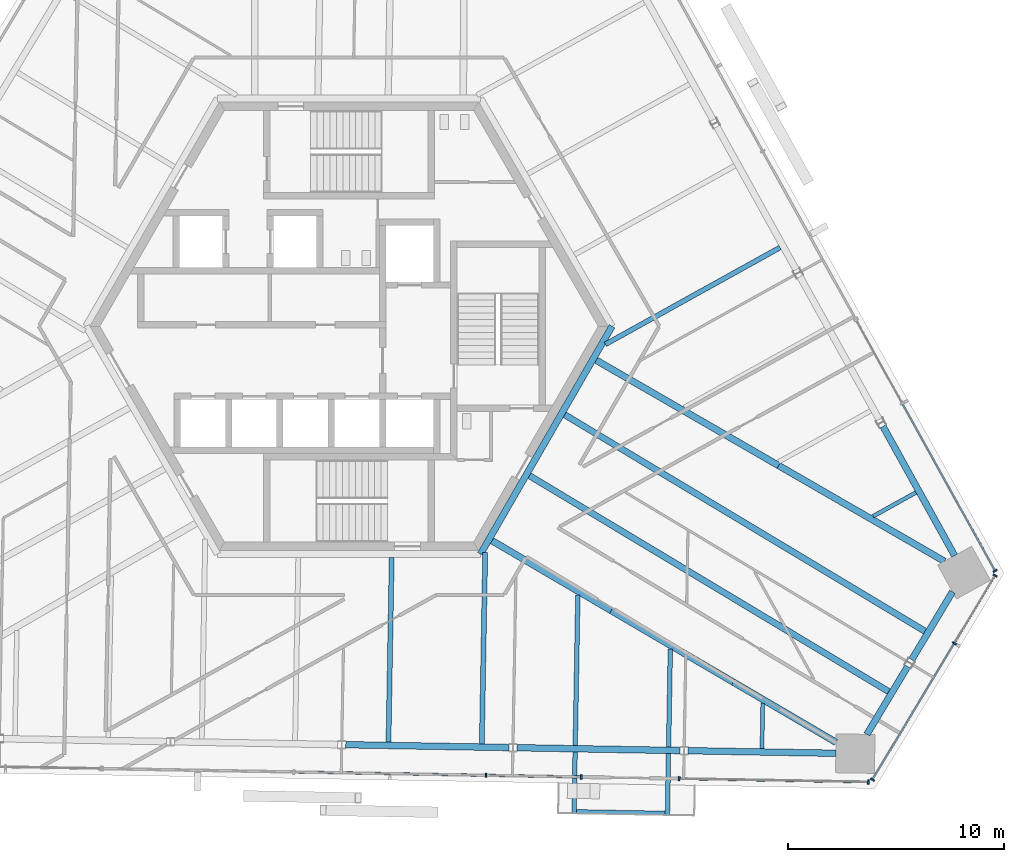
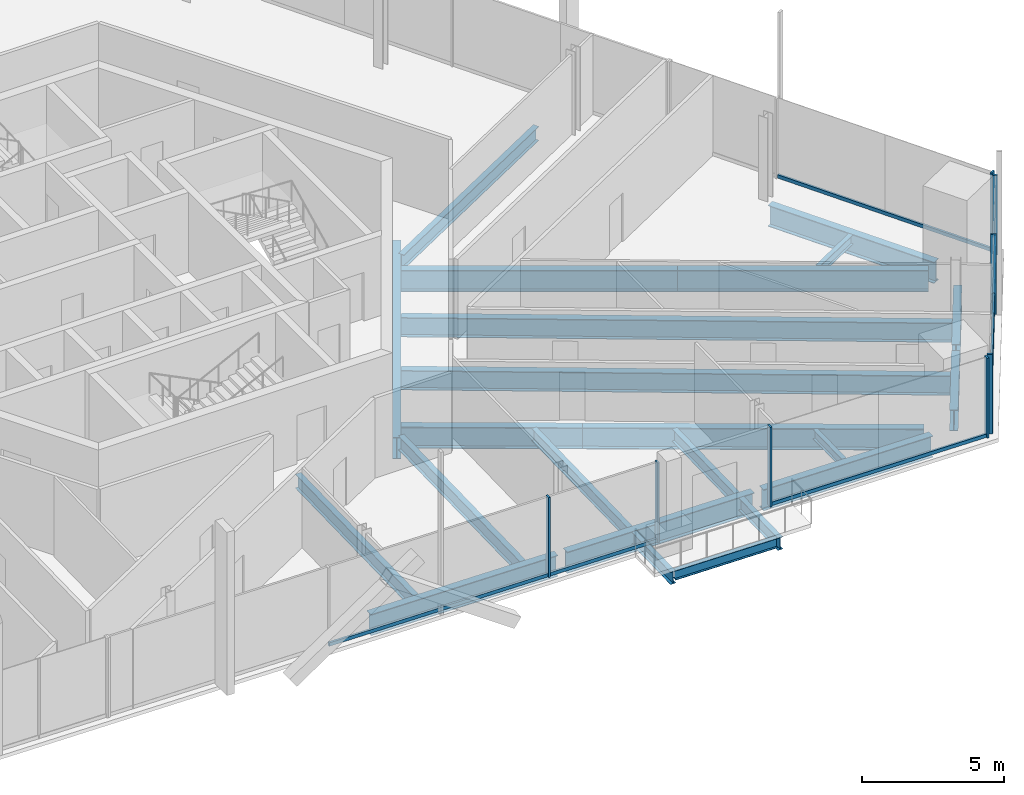
# One storey, part 6 of 20: 24 beams, 14 members, 4 elements without a shape of their own.
"""IFC4 building model written with IfcOpenShell, lengths in metres."""

import ifcopenshell
import ifcopenshell.guid

model = None  # the IFC model being written
_history = None  # IfcOwnerHistory: only IFC2X3 demands one
_inside = {}  # id of a spatial element -> (the spatial element, [elements in it])
_under = {}  # id of a project, library or spatial element -> (it, [spatial elements below it])
_declared = {}  # id of a project -> (the project, [libraries it declares])
_typed = {}  # id of a type object -> (the type object, [elements of that type])
_made_of = {}  # id of a material, layer set ... -> (it, [elements and type objects made of it])


def new_model(schema):
    """Start an empty IFC model of exactly this schema.

    Asked for "IFC4X3", IfcOpenShell would pick the latest addendum, in which some entities
    have other attributes; the version numbers below select the first issue.
    IFC2X3 requires an IfcOwnerHistory on every rooted entity: one is made here for all.
    """
    global model, _history
    if schema == "IFC4X3":
        model = ifcopenshell.file(schema_version=(4, 3, 0, 0))
    else:
        model = ifcopenshell.file(schema=schema)
    _inside.clear()
    _under.clear()
    _declared.clear()
    _typed.clear()
    _made_of.clear()
    _history = None
    if model.schema == "IFC2X3":
        org = make("IfcOrganization", Name="unknown")
        user = make(
            "IfcPersonAndOrganization",
            ThePerson=make("IfcPerson", FamilyName="unknown"),
            TheOrganization=org,
        )
        app = make(
            "IfcApplication",
            ApplicationDeveloper=org,
            Version="unknown",
            ApplicationFullName="unknown",
            ApplicationIdentifier="unknown",
        )
        _history = make(
            "IfcOwnerHistory",
            OwningUser=user,
            OwningApplication=app,
            ChangeAction="ADDED",
            CreationDate=0,
        )
    return model


def make(cls, **values):
    """One entity of the class cls with the attributes given. An attribute that is None is left unset."""
    return model.create_entity(
        cls, **{name: value for name, value in values.items() if value is not None}
    )


def rooted(cls, **values):
    """An entity with a GlobalId (a new one), such as an element, a storey or a relation."""
    return make(cls, GlobalId=ifcopenshell.guid.new(), OwnerHistory=_history, **values)


def si_unit(unit_type, name, prefix=None):
    """IfcSIUnit, for example si_unit("LENGTHUNIT", "METRE", prefix="MILLI")."""
    return make("IfcSIUnit", UnitType=unit_type, Prefix=prefix, Name=name)


def assignment(units):
    """IfcUnitAssignment: the units of a project."""
    return None if units is None else make("IfcUnitAssignment", Units=units)


def point(xyz):
    """IfcCartesianPoint."""
    return None if xyz is None else make("IfcCartesianPoint", Coordinates=xyz)


def direction(xyz):
    """IfcDirection."""
    return None if xyz is None else make("IfcDirection", DirectionRatios=xyz)


def frame(location, z_axis=None, x_axis=None):
    """IfcAxis2Placement3D, a coordinate frame: its origin and axes. An axis left out is left unset."""
    return make(
        "IfcAxis2Placement3D",
        Location=point(location),
        Axis=direction(z_axis),
        RefDirection=direction(x_axis),
    )


def frame_2d(location, x_axis=None):
    """IfcAxis2Placement2D, a coordinate frame in the plane: its origin and x axis."""
    return make(
        "IfcAxis2Placement2D", Location=point(location), RefDirection=direction(x_axis)
    )


def origin():
    """The frame at (0, 0, 0) with its axes left unset."""
    return frame((0.0, 0.0, 0.0))


def origin_2d():
    """The frame at (0, 0) in the plane with its x axis left unset."""
    return frame_2d((0.0, 0.0))


def place(relative_to, where):
    """IfcLocalPlacement: puts the frame where relative to a parent placement (None: the world)."""
    return make(
        "IfcLocalPlacement", PlacementRelTo=relative_to, RelativePlacement=where
    )


def context(
    kind, dimensions, precision=None, world=None, true_north=None, identifier=None
):
    """IfcGeometricRepresentationContext, for example the 3D "Model" context."""
    return make(
        "IfcGeometricRepresentationContext",
        ContextIdentifier=identifier,
        ContextType=kind,
        CoordinateSpaceDimension=dimensions,
        Precision=precision,
        WorldCoordinateSystem=world,
        TrueNorth=true_north,
    )


def subcontext(parent, identifier, kind, view, scale=None):
    """IfcGeometricRepresentationSubContext, for example "Body" below "Model"."""
    return make(
        "IfcGeometricRepresentationSubContext",
        ContextIdentifier=identifier,
        ContextType=kind,
        ParentContext=parent,
        TargetScale=scale,
        TargetView=view,
    )


def project(units=None, contexts=None):
    """IfcProject with its units and contexts."""
    return rooted(
        "IfcProject",
        Name="project",
        RepresentationContexts=contexts,
        UnitsInContext=assignment(units),
    )


def spatial(cls, under=None, at=None, **own):
    """A site, building, storey or space (cls), placed at a placement, below another one or the project."""
    s = rooted(cls, ObjectPlacement=at, **own)
    if under is not None:
        _under.setdefault(under.id(), (under, []))[1].append(s)
    return s


def profile(cls, at=None, kind="AREA", **sizes):
    """A parametric profile (cls). Its sizes go by their IFC names, for example OverallWidth=200.0."""
    return make(cls, ProfileType=kind, Position=at, **sizes)


def rectangle(**sizes):
    """IfcRectangleProfileDef."""
    return profile("IfcRectangleProfileDef", **sizes)


def i_section(**sizes):
    """IfcIShapeProfileDef."""
    return profile("IfcIShapeProfileDef", **sizes)


def extrude(swept, where, along, depth):
    """IfcExtrudedAreaSolid: the profile swept, set in the frame where, extruded along a direction by depth."""
    return make(
        "IfcExtrudedAreaSolid",
        SweptArea=swept,
        Position=where,
        ExtrudedDirection=direction(along),
        Depth=depth,
    )


def shape(context_of_items, identifier, shape_type, items):
    """IfcShapeRepresentation: the items that make up one representation, for example the "Body"."""
    return make(
        "IfcShapeRepresentation",
        ContextOfItems=context_of_items,
        RepresentationIdentifier=identifier,
        RepresentationType=shape_type,
        Items=items,
    )


def source(mapping_origin, context_of_items, identifier, shape_type, items):
    """IfcRepresentationMap: a shape defined once, which mapped items show again and again."""
    return make(
        "IfcRepresentationMap",
        MappingOrigin=mapping_origin,
        MappedRepresentation=shape(context_of_items, identifier, shape_type, items),
    )


def transform(
    local_origin,
    x_axis=None,
    y_axis=None,
    z_axis=None,
    scale=None,
    scale2=None,
    scale3=None,
    uniform=True,
):
    """IfcCartesianTransformationOperator3D, or its non-uniform kind. x_axis, y_axis, z_axis: its Axis1, 2, 3."""
    if uniform:
        return make(
            "IfcCartesianTransformationOperator3D",
            Axis1=direction(x_axis),
            Axis2=direction(y_axis),
            LocalOrigin=point(local_origin),
            Scale=scale,
            Axis3=direction(z_axis),
        )
    return make(
        "IfcCartesianTransformationOperator3DnonUniform",
        Axis1=direction(x_axis),
        Axis2=direction(y_axis),
        LocalOrigin=point(local_origin),
        Scale=scale,
        Axis3=direction(z_axis),
        Scale2=scale2,
        Scale3=scale3,
    )


def mapped(mapping_source, mapping_target):
    """IfcMappedItem: shows the shape of a source again, moved by a transform."""
    return make(
        "IfcMappedItem", MappingSource=mapping_source, MappingTarget=mapping_target
    )


def material(Name=None, Category=None):
    """IfcMaterial."""
    return make("IfcMaterial", Name=Name, Category=Category)


def material_profile(
    of_material, cross_section, Name=None, Category=None, Priority=None
):
    """IfcMaterialProfile: a cross section and its material."""
    return make(
        "IfcMaterialProfile",
        Name=Name,
        Material=of_material,
        Profile=cross_section,
        Priority=Priority,
        Category=Category,
    )


def profile_set(profiles, Name=None, composite=None):
    """IfcMaterialProfileSet."""
    return make(
        "IfcMaterialProfileSet",
        Name=Name,
        MaterialProfiles=profiles,
        CompositeProfile=composite,
    )


def made_of(thing, what):
    """Note that an element or type object is made of a material, layer set ...; save() writes the relation."""
    if what is not None:
        _made_of.setdefault(what.id(), (what, []))[1].append(thing)
    return thing


def type_object(cls, material=None, **own):
    """A type object (cls), such as IfcWallType, which elements share."""
    return made_of(rooted(cls, **own), material)


def element(
    cls,
    number,
    at=None,
    inside=None,
    cuts=None,
    type_object=None,
    material=None,
    context=None,
    identifier="Body",
    shape_type=None,
    held_by="IfcProductDefinitionShape",
    body=None,
    shapes=None,
    **own,
):
    """One element of the class cls, such as IfcWall. Its Tag is "e" and its number.

    at: its placement. inside: the storey or other place that contains it. cuts: it is an
    opening in that element (IfcRelVoidsElement). A single representation is given by context,
    identifier, shape_type and body (its items); several are given by shapes. held_by: the class
    of the entity that holds the representations. save() writes the other relations.
    """
    e = rooted(cls, Tag="e%d" % number, ObjectPlacement=at, **own)
    if body is not None:
        shapes = [shape(context, identifier, shape_type, body)]
    if shapes is not None:
        e.Representation = make(held_by, Representations=shapes)
    if inside is not None:
        _inside.setdefault(inside.id(), (inside, []))[1].append(e)
    if cuts is not None:
        rooted(
            "IfcRelVoidsElement", RelatingBuildingElement=cuts, RelatedOpeningElement=e
        )
    if type_object is not None:
        _typed.setdefault(type_object.id(), (type_object, []))[1].append(e)
    return made_of(e, material)


def aggregate(whole, parts):
    """IfcRelAggregates: a whole, such as a stair, and the parts it consists of."""
    return rooted("IfcRelAggregates", RelatingObject=whole, RelatedObjects=parts)


def save(model, path):
    """Write the relations noted so far, then the file.

    IfcRelAggregates (storeys below a building ...), IfcRelContainedInSpatialStructure (elements
    in a storey), IfcRelDefinesByType, IfcRelAssociatesMaterial and IfcRelDeclares: one each for
    every whole, place, type object, material and project.
    """
    for whole, parts in _under.values():
        aggregate(whole, parts)
    for where, things in _inside.values():
        rooted(
            "IfcRelContainedInSpatialStructure",
            RelatedElements=things,
            RelatingStructure=where,
        )
    for kind, things in _typed.values():
        rooted("IfcRelDefinesByType", RelatedObjects=things, RelatingType=kind)
    for what, things in _made_of.values():
        rooted("IfcRelAssociatesMaterial", RelatedObjects=things, RelatingMaterial=what)
    for by, libraries in _declared.values():
        rooted("IfcRelDeclares", RelatingContext=by, RelatedDefinitions=libraries)
    model.write(path)


model = new_model("IFC4")

# Units and contexts
model_context = context("Model", 3, precision=1e-05, world=origin(), true_north=direction((0.0, 1.0)))
body_context = subcontext(model_context, "Body", "Model", "MODEL_VIEW")
ifc_project = project(units=[si_unit("LENGTHUNIT", "METRE"), si_unit("AREAUNIT", "SQUARE_METRE"), si_unit("VOLUMEUNIT", "CUBIC_METRE"), si_unit("PLANEANGLEUNIT", "RADIAN"), si_unit("MASSUNIT", "GRAM", prefix="KILO")], contexts=[model_context])

# Site, building, storey
site_placement = place(None, origin())
site = spatial("IfcSite", under=ifc_project, at=site_placement, CompositionType="ELEMENT")
building_placement = place(site_placement, origin())
building = spatial("IfcBuilding", under=site, at=building_placement, Name="Triune Harvest Tower", CompositionType="ELEMENT")
storey_placement = place(building_placement, frame((0.0, 0.0, 194.300048828125)))
storey = spatial("IfcBuildingStorey", under=building, at=storey_placement, Name="L50", CompositionType="ELEMENT", Elevation=194.300048828125)

# Beams
ifc_material_1 = material(Name="Steel ASTM A992 Gr 50", Category="steel")
ifc_material_profile_1 = material_profile(ifc_material_1, i_section(OverallWidth=0.3046875, OverallDepth=0.914306640625, WebThickness=0.0166015625, FlangeThickness=0.02587890625, at=origin_2d()), Name="W36x160")
ifc_profile_set_1 = profile_set([ifc_material_profile_1], Name="Steel ASTM A992 Gr 50")
beam_type_1 = type_object("IfcBeamType", Name="CG-1 Core ring girder W36x160", PredefinedType="BEAM", material=ifc_profile_set_1)
shared_shape_1 = source(origin(), body_context, "Body", "SweptSolid", [
    extrude(i_section(OverallWidth=0.3046875, OverallDepth=0.914306640625, WebThickness=0.0166015625, FlangeThickness=0.02587890625, at=origin_2d()), origin(), (0.0, 0.0, 1.0), 12.176025390625),
])
beam_1_placement = place(storey_placement, frame((6.087890625, -10.544677734375, -0.6171875), z_axis=(0.5000099932, 0.866019634131, 0.0), x_axis=(-0.866019634131, 0.5000099932, 0.0)))
element("IfcBeam", 1, at=beam_1_placement, inside=storey, type_object=beam_type_1, Name="beam/L50/CG6", PredefinedType="BEAM", context=body_context, shape_type="MappedRepresentation", body=[
    mapped(shared_shape_1, transform((0.0, 0.0, 0.0), scale=1.0)),
])
ifc_material_2 = material(Name="Steel ASTM A992 Gr 50", Category="steel")
ifc_material_profile_2 = material_profile(ifc_material_2, i_section(OverallWidth=0.307373046875, OverallDepth=0.922119140625, WebThickness=0.018310546875, FlangeThickness=0.030029296875, at=origin_2d()), Name="W36x182")
ifc_profile_set_2 = profile_set([ifc_material_profile_2], Name="Steel ASTM A992 Gr 50")
beam_type_2 = type_object("IfcBeamType", Name="HG-2 Hip girder W36x182", PredefinedType="BEAM", material=ifc_profile_set_2)
shared_shape_2 = source(origin(), body_context, "Body", "SweptSolid", [
    extrude(i_section(OverallWidth=0.307373046875, OverallDepth=0.922119140625, WebThickness=0.018310546875, FlangeThickness=0.030029296875, at=origin_2d()), origin(), (0.0, 0.0, 1.0), 9.7568359375),
])
beam_2_placement = place(storey_placement, frame((19.893310546875, -6.451904296875, -0.62109375), z_axis=(-0.866026409454, 0.499998258125, 0.0), x_axis=(-0.499998258125, -0.866026409454, 0.0)))
element("IfcBeam", 2, at=beam_2_placement, inside=storey, type_object=beam_type_2, Name="beam/L50/HG2", PredefinedType="BEAM", context=body_context, shape_type="MappedRepresentation", body=[
    mapped(shared_shape_2, transform((0.0, 0.0, 0.0), scale=1.0)),
])
shared_shape_3 = source(origin(), body_context, "Body", "SweptSolid", [
    extrude(i_section(OverallWidth=0.307373046875, OverallDepth=0.922119140625, WebThickness=0.018310546875, FlangeThickness=0.030029296875, at=origin_2d()), origin(), (0.0, 0.0, 1.0), 6.549560546875),
])
beam_3_placement = place(storey_placement, frame((17.789306640625, -16.475341796875, -0.62109375), z_axis=(-0.862742829324, 0.50564296737, 0.0), x_axis=(-0.50564296737, -0.862742829324, 0.0)))
element("IfcBeam", 3, at=beam_3_placement, inside=storey, type_object=beam_type_2, Name="beam/L50/HG9", PredefinedType="BEAM", context=body_context, shape_type="MappedRepresentation", body=[
    mapped(shared_shape_3, transform((0.0, 0.0, 0.0), scale=1.0)),
])
shared_shape_4 = source(origin(), body_context, "Body", "SweptSolid", [
    extrude(i_section(OverallWidth=0.307373046875, OverallDepth=0.922119140625, WebThickness=0.018310546875, FlangeThickness=0.030029296875, at=origin_2d()), origin(), (0.0, 0.0, 1.0), 6.397216796875),
])
beam_4_placement = place(storey_placement, frame((12.138671875, -13.16357421875, -0.62109375), z_axis=(-0.862754230068, 0.505623514583, 0.0), x_axis=(-0.505623514583, -0.862754230068, 0.0)))
element("IfcBeam", 4, at=beam_4_placement, inside=storey, type_object=beam_type_2, Name="beam/L50/HG10", PredefinedType="BEAM", context=body_context, shape_type="MappedRepresentation", body=[
    mapped(shared_shape_4, transform((0.0, 0.0, 0.0), scale=1.0)),
])
ifc_material_3 = material(Name="Steel ASTM A992 Gr 50", Category="steel")
ifc_material_profile_3 = material_profile(ifc_material_3, i_section(OverallWidth=0.3046875, OverallDepth=0.914306640625, WebThickness=0.0166015625, FlangeThickness=0.02587890625, at=origin_2d()), Name="W36x160")
ifc_profile_set_3 = profile_set([ifc_material_profile_3], Name="Steel ASTM A992 Gr 50")
beam_type_3 = type_object("IfcBeamType", Name="SB-1 Spandrel beam W36x160", PredefinedType="SPANDREL", material=ifc_profile_set_3)
shared_shape_5 = source(origin(), body_context, "Body", "SweptSolid", [
    extrude(i_section(OverallWidth=0.3046875, OverallDepth=0.914306640625, WebThickness=0.0166015625, FlangeThickness=0.02587890625, at=origin_2d()), origin(), (0.0, 0.0, 1.0), 6.841796875),
])
for number, where, z_axis, x_axis, name in (
    (5, (28.0390625, -10.61962890625, -0.6171875), (-0.484833781575, 0.87460631386, 0.0), (-0.87460631386, -0.484833781575, 0.0), "beam/L50/SB1"),
    (6, (15.69921875, -19.65185546875, -0.6171875), (0.999847128578, -0.017484835582, 0.0), (0.017484835582, 0.999847128578, 0.0), "beam/L50/SB22"),
):
    element("IfcBeam", number, at=place(storey_placement, frame(where, z_axis=z_axis, x_axis=x_axis)), inside=storey, type_object=beam_type_3, Name=name, PredefinedType="SPANDREL", context=body_context, shape_type="MappedRepresentation", body=[
        mapped(shared_shape_5, transform((0.0, 0.0, 0.0), scale=1.0)),
    ])
shared_shape_6 = source(origin(), body_context, "Body", "SweptSolid", [
    extrude(i_section(OverallWidth=0.3046875, OverallDepth=0.914306640625, WebThickness=0.0166015625, FlangeThickness=0.02587890625, at=origin_2d()), origin(), (0.0, 0.0, 1.0), 3.66357421875),
])
beam_5_placement = place(storey_placement, frame((23.97509765625, -18.896240234375, -0.6171875), z_axis=(0.51504443288, 0.857163480416, 0.0), x_axis=(-0.857163480416, 0.51504443288, 0.0)))
element("IfcBeam", 7, at=beam_5_placement, inside=storey, type_object=beam_type_3, Name="beam/L50/SB23", PredefinedType="SPANDREL", context=body_context, shape_type="MappedRepresentation", body=[
    mapped(shared_shape_6, transform((0.0, 0.0, 0.0), scale=1.0)),
])
shared_shape_7 = source(origin(), body_context, "Body", "SweptSolid", [
    extrude(i_section(OverallWidth=0.3046875, OverallDepth=0.914306640625, WebThickness=0.0166015625, FlangeThickness=0.02587890625, at=origin_2d()), origin(), (0.0, 0.0, 1.0), 7.556640625),
])
for number, where, z_axis, x_axis, name in (
    (8, (-0.15283203125, -19.375244140625, -0.6171875), (0.999847797686, -0.017446531514, 0.0), (0.017446531514, 0.999847797686, 0.0), "beam/L50/SB20"),
    (9, (7.773193359375, -19.513671875, -0.6171875), (0.999847797686, -0.017446531514, 0.0), (0.017446531514, 0.999847797686, 0.0), "beam/L50/SB21"),
):
    element("IfcBeam", number, at=place(storey_placement, frame(where, z_axis=z_axis, x_axis=x_axis)), inside=storey, type_object=beam_type_3, Name=name, PredefinedType="SPANDREL", context=body_context, shape_type="MappedRepresentation", body=[
        mapped(shared_shape_7, transform((0.0, 0.0, 0.0), scale=1.0)),
    ])
shared_shape_8 = source(origin(), body_context, "Body", "SweptSolid", [
    extrude(i_section(OverallWidth=0.3046875, OverallDepth=0.914306640625, WebThickness=0.0166015625, FlangeThickness=0.02587890625, at=origin_2d()), origin(), (0.0, 0.0, 1.0), 3.663818359375),
])
beam_6_placement = place(storey_placement, frame((26.052978515625, -15.43798828125, -0.6171875), z_axis=(0.515093391182, 0.857134060903, 0.0), x_axis=(-0.857134060903, 0.515093391182, 0.0)))
element("IfcBeam", 10, at=beam_6_placement, inside=storey, type_object=beam_type_3, Name="beam/L50/SB24", PredefinedType="SPANDREL", context=body_context, shape_type="MappedRepresentation", body=[
    mapped(shared_shape_8, transform((0.0, 0.0, 0.0), scale=1.0)),
])
shared_shape_9 = source(origin(), body_context, "Body", "SweptSolid", [
    extrude(i_section(OverallWidth=0.307373046875, OverallDepth=0.922119140625, WebThickness=0.018310546875, FlangeThickness=0.030029296875, at=origin_2d()), origin(), (0.0, 0.0, 1.0), 8.859619140625),
])
beam_7_placement = place(storey_placement, frame((27.56591796875, -10.8818359375, -0.62109375), z_axis=(-0.866018088107, 0.500012670911, 0.0), x_axis=(-0.500012670911, -0.866018088107, 0.0)))
element("IfcBeam", 11, at=beam_7_placement, inside=storey, type_object=beam_type_2, Name="beam/L50/HG1", PredefinedType="BEAM", context=body_context, shape_type="MappedRepresentation", body=[
    mapped(shared_shape_9, transform((0.0, 0.0, 0.0), scale=1.0)),
])
shared_shape_10 = source(origin(), body_context, "Body", "SweptSolid", [
    extrude(i_section(OverallWidth=0.307373046875, OverallDepth=0.922119140625, WebThickness=0.018310546875, FlangeThickness=0.030029296875, at=origin_2d()), origin(), (0.0, 0.0, 1.0), 5.516845703125),
])
beam_8_placement = place(storey_placement, frame((22.548828125, -19.264892578125, -0.62109375), z_axis=(-0.862738579495, 0.505650218482, 0.0), x_axis=(-0.505650218482, -0.862738579495, 0.0)))
element("IfcBeam", 12, at=beam_8_placement, inside=storey, type_object=beam_type_2, Name="beam/L50/HG8", PredefinedType="BEAM", context=body_context, shape_type="MappedRepresentation", body=[
    mapped(shared_shape_10, transform((0.0, 0.0, 0.0), scale=1.0)),
])
ifc_material_4 = material(Name="Steel ASTM A992 Gr 50", Category="steel")
ifc_material_profile_4 = material_profile(ifc_material_4, i_section(OverallWidth=0.180908203125, OverallDepth=0.41650390625, WebThickness=0.010986328125, FlangeThickness=0.01806640625, at=origin_2d()), Name="W16x57")
ifc_profile_set_4 = profile_set([ifc_material_profile_4], Name="Steel ASTM A992 Gr 50")
beam_type_4 = type_object("IfcBeamType", Name="JT-1 Floor joist W16x57", PredefinedType="JOIST", material=ifc_profile_set_4)
shared_shape_11 = source(origin(), body_context, "Body", "SweptSolid", [
    extrude(i_section(OverallWidth=0.180908203125, OverallDepth=0.41650390625, WebThickness=0.010986328125, FlangeThickness=0.01806640625, at=origin_2d()), origin(), (0.0, 0.0, 1.0), 2.266357421875),
])
beam_9_placement = place(storey_placement, frame((26.24560546875, -7.698974609375, -0.368408203125), z_axis=(-0.874639585413, -0.484773757157, 0.0), x_axis=(0.484773757157, -0.874639585413, 0.0)))
element("IfcBeam", 13, at=beam_9_placement, inside=storey, type_object=beam_type_4, Name="beam/L50/JT1", PredefinedType="JOIST", context=body_context, shape_type="MappedRepresentation", body=[
    mapped(shared_shape_11, transform((0.0, 0.0, 0.0), scale=1.0)),
])
ifc_material_5 = material(Name="Steel ASTM A992 Gr 50", Category="steel")
ifc_material_profile_5 = material_profile(ifc_material_5, i_section(OverallWidth=0.22900390625, OverallDepth=0.612060546875, WebThickness=0.011962890625, FlangeThickness=0.01953125, at=origin_2d()), Name="W24x84")
ifc_profile_set_5 = profile_set([ifc_material_profile_5], Name="Steel ASTM A992 Gr 50")
beam_type_5 = type_object("IfcBeamType", Name="JT-3 Floor joist W24x84", PredefinedType="JOIST", material=ifc_profile_set_5)
shared_shape_12 = source(origin(), body_context, "Body", "SweptSolid", [
    extrude(i_section(OverallWidth=0.22900390625, OverallDepth=0.612060546875, WebThickness=0.011962890625, FlangeThickness=0.01953125, at=origin_2d()), origin(), (0.0, 0.0, 1.0), 9.247314453125),
])
beam_10_placement = place(storey_placement, frame((19.956787109375, 3.646484375, -0.466064453125), z_axis=(-0.874621389222, -0.484806585676, 0.0), x_axis=(0.484806585676, -0.874621389222, 0.0)))
element("IfcBeam", 14, at=beam_10_placement, inside=storey, type_object=beam_type_5, Name="beam/L50/JT4", PredefinedType="JOIST", context=body_context, shape_type="MappedRepresentation", body=[
    mapped(shared_shape_12, transform((0.0, 0.0, 0.0), scale=1.0)),
])
ifc_material_6 = material(Name="Steel ASTM A992 Gr 50", Category="steel")
ifc_material_profile_6 = material_profile(ifc_material_6, i_section(OverallWidth=0.2919921875, OverallDepth=0.8408203125, WebThickness=0.0146484375, FlangeThickness=0.021728515625, at=origin_2d()), Name="W33x130")
ifc_profile_set_6 = profile_set([ifc_material_profile_6], Name="Steel ASTM A992 Gr 50")
beam_type_6 = type_object("IfcBeamType", Name="JT-6 Floor joist W33x130", PredefinedType="JOIST", material=ifc_profile_set_6)
shared_shape_13 = source(origin(), body_context, "Body", "SweptSolid", [
    extrude(i_section(OverallWidth=0.2919921875, OverallDepth=0.8408203125, WebThickness=0.0146484375, FlangeThickness=0.021728515625, at=origin_2d()), origin(), (0.0, 0.0, 1.0), 19.403564453125),
])
beam_11_placement = place(storey_placement, frame((24.98779296875, -16.915283203125, -0.58056640625), z_axis=(-0.857165243619, 0.515041498456, 0.0), x_axis=(-0.515041498456, -0.857165243619, 0.0)))
element("IfcBeam", 15, at=beam_11_placement, inside=storey, type_object=beam_type_6, Name="beam/L50/JT35", PredefinedType="JOIST", context=body_context, shape_type="MappedRepresentation", body=[
    mapped(shared_shape_13, transform((0.0, 0.0, 0.0), scale=1.0)),
])
shared_shape_14 = source(origin(), body_context, "Body", "SweptSolid", [
    extrude(i_section(OverallWidth=0.2919921875, OverallDepth=0.8408203125, WebThickness=0.0146484375, FlangeThickness=0.021728515625, at=origin_2d()), origin(), (0.0, 0.0, 1.0), 19.460205078125),
])
beam_12_placement = place(storey_placement, frame((26.666259765625, -14.12158203125, -0.58056640625), z_axis=(-0.85716841359, 0.515036222749, 0.0), x_axis=(-0.515036222749, -0.85716841359, 0.0)))
element("IfcBeam", 16, at=beam_12_placement, inside=storey, type_object=beam_type_6, Name="beam/L50/JT36", PredefinedType="JOIST", context=body_context, shape_type="MappedRepresentation", body=[
    mapped(shared_shape_14, transform((0.0, 0.0, 0.0), scale=1.0)),
])
shared_shape_15 = source(origin(), body_context, "Body", "SweptSolid", [
    extrude(i_section(OverallWidth=0.22900390625, OverallDepth=0.612060546875, WebThickness=0.011962890625, FlangeThickness=0.01953125, at=origin_2d()), origin(), (0.0, 0.0, 1.0), 8.5615234375),
])
beam_13_placement = place(storey_placement, frame((1.826171875, -19.25732421875, -0.466064453125), z_axis=(0.017451638412, 0.999847708562, 0.0), x_axis=(-0.999847708562, 0.017451638412, 0.0)))
element("IfcBeam", 17, at=beam_13_placement, inside=storey, type_object=beam_type_5, Name="beam/L50/JT30", PredefinedType="JOIST", context=body_context, shape_type="MappedRepresentation", body=[
    mapped(shared_shape_15, transform((0.0, 0.0, 0.0), scale=1.0)),
])
shared_shape_16 = source(origin(), body_context, "Body", "SweptSolid", [
    extrude(i_section(OverallWidth=0.180908203125, OverallDepth=0.41650390625, WebThickness=0.010986328125, FlangeThickness=0.01806640625, at=origin_2d()), origin(), (0.0, 0.0, 1.0), 2.104736328125),
])
beam_14_placement = place(storey_placement, frame((19.119384765625, -19.55908203125, -0.368408203125), z_axis=(0.017398758065, 0.999848630152, 0.0), x_axis=(-0.999848630152, 0.017398758065, 0.0)))
element("IfcBeam", 18, at=beam_14_placement, inside=storey, type_object=beam_type_4, Name="beam/L50/JT34", PredefinedType="JOIST", context=body_context, shape_type="MappedRepresentation", body=[
    mapped(shared_shape_16, transform((0.0, 0.0, 0.0), scale=1.0)),
])
shared_shape_17 = source(origin(), body_context, "Body", "SweptSolid", [
    extrude(i_section(OverallWidth=0.22900390625, OverallDepth=0.612060546875, WebThickness=0.011962890625, FlangeThickness=0.01953125, at=origin_2d()), origin(), (0.0, 0.0, 1.0), 8.859130859375),
])
beam_15_placement = place(storey_placement, frame((6.1494140625, -19.3330078125, -0.466064453125), z_axis=(0.017472043805, 0.999847352192, 0.0), x_axis=(-0.999847352192, 0.017472043805, 0.0)))
element("IfcBeam", 19, at=beam_15_placement, inside=storey, type_object=beam_type_5, Name="beam/L50/JT31", PredefinedType="JOIST", context=body_context, shape_type="MappedRepresentation", body=[
    mapped(shared_shape_17, transform((0.0, 0.0, 0.0), scale=1.0)),
])
ifc_material_7 = material(Name="Steel ASTM A992 Gr 50", Category="steel")
ifc_material_profile_7 = material_profile(ifc_material_7, i_section(OverallWidth=0.2099609375, OverallDepth=0.535888671875, WebThickness=0.010986328125, FlangeThickness=0.017333984375, at=origin_2d()), Name="W21x68")
ifc_profile_set_7 = profile_set([ifc_material_profile_7], Name="Steel ASTM A992 Gr 50")
beam_type_7 = type_object("IfcBeamType", Name="JT-2 Floor joist W21x68", PredefinedType="JOIST", material=ifc_profile_set_7)
shared_shape_18 = source(origin(), body_context, "Body", "SweptSolid", [
    extrude(i_section(OverallWidth=0.2099609375, OverallDepth=0.535888671875, WebThickness=0.010986328125, FlangeThickness=0.017333984375, at=origin_2d()), origin(), (0.0, 0.0, 1.0), 6.972412109375),
])
beam_16_placement = place(storey_placement, frame((10.47265625, -19.408203125, -0.427978515625), z_axis=(0.017472380522, 0.999847346308, 0.0), x_axis=(-0.999847346308, 0.017472380522, 0.0)))
element("IfcBeam", 20, at=beam_16_placement, inside=storey, type_object=beam_type_7, Name="beam/L50/JT32", PredefinedType="JOIST", context=body_context, shape_type="MappedRepresentation", body=[
    mapped(shared_shape_18, transform((0.0, 0.0, 0.0), scale=1.0)),
])
shared_shape_19 = source(origin(), body_context, "Body", "SweptSolid", [
    extrude(i_section(OverallWidth=0.2099609375, OverallDepth=0.535888671875, WebThickness=0.010986328125, FlangeThickness=0.017333984375, at=origin_2d()), origin(), (0.0, 0.0, 1.0), 4.5390625),
])
beam_17_placement = place(storey_placement, frame((14.7958984375, -19.48388671875, -0.427978515625), z_axis=(0.017480786476, 0.999847199378, 0.0), x_axis=(-0.999847199378, 0.017480786476, 0.0)))
element("IfcBeam", 21, at=beam_17_placement, inside=storey, type_object=beam_type_7, Name="beam/L50/JT33", PredefinedType="JOIST", context=body_context, shape_type="MappedRepresentation", body=[
    mapped(shared_shape_19, transform((0.0, 0.0, 0.0), scale=1.0)),
])

# Curtain wall, members
ifc_material_8 = material(Name="Aluminium bronze anodised", Category="aluminium")
curtain_wall_type_1 = type_object("IfcCurtainWallType", Name="CW-1 Tower stick curtain wall", PredefinedType="NOTDEFINED", material=ifc_material_8)
curtain_wall_1_placement = place(storey_placement, origin())
curtain_wall_1 = element("IfcCurtainWall", 22, at=curtain_wall_1_placement, inside=storey, type_object=curtain_wall_type_1, Name="CW-1 B5-F6 L50 run 1")
ifc_material_9 = material(Name="Aluminium bronze anodised", Category="aluminium")
ifc_material_profile_8 = material_profile(ifc_material_9, rectangle(XDim=0.199951171875, YDim=0.074951171875, at=origin_2d()), Name="MU-1 mullion 75 x 200")
ifc_profile_set_8 = profile_set([ifc_material_profile_8], Name="Aluminium bronze anodised")
member_type_1 = type_object("IfcMemberType", Name="MU-1 mullion 75 x 200", PredefinedType="MULLION", material=ifc_profile_set_8)
shared_shape_20 = source(origin(), body_context, "Body", "SweptSolid", [
    extrude(rectangle(XDim=0.199951171875, YDim=0.074951171875, at=origin_2d()), origin(), (0.0, 0.0, 1.0), 3.43994140625),
])
member_1_placement = place(storey_placement, frame((24.234619140625, -20.992919921875, 0.0), z_axis=(0.0, 0.0, 1.0), x_axis=(-0.857168135313, 0.515036685882, 0.0)))
member_1 = element("IfcMember", 23, at=member_1_placement, type_object=member_type_1, Name="CW-1 mullion B5-F6 1.1", PredefinedType="MULLION", context=body_context, shape_type="MappedRepresentation", body=[
    mapped(shared_shape_20, transform((0.0, 0.0, 0.0), scale=1.0)),
])
member_2_placement = place(storey_placement, frame((28.026611328125, -14.681884765625, 0.0), z_axis=(0.0, 0.0, 1.0), x_axis=(-0.857168135313, 0.515036685882, 0.0)))
member_2 = element("IfcMember", 24, at=member_2_placement, type_object=member_type_1, Name="CW-1 mullion B5-F6 1.3", PredefinedType="MULLION", context=body_context, shape_type="MappedRepresentation", body=[
    mapped(shared_shape_20, transform((0.0, 0.0, 0.0), scale=1.0)),
])
member_3_placement = place(storey_placement, frame((29.912841796875, -11.54248046875, 0.0), z_axis=(0.0, 0.0, 1.0), x_axis=(-0.857168135313, 0.515036685882, 0.0)))
member_3 = element("IfcMember", 25, at=member_3_placement, type_object=member_type_1, Name="CW-1 mullion B5-F6 1.4", PredefinedType="MULLION", context=body_context, shape_type="MappedRepresentation", body=[
    mapped(shared_shape_20, transform((0.0, 0.0, 0.0), scale=1.0)),
])

# Curtain wall, member
ifc_material_10 = material(Name="Aluminium bronze anodised", Category="aluminium")
curtain_wall_type_2 = type_object("IfcCurtainWallType", Name="CW-6 Balcony window wall", PredefinedType="NOTDEFINED", material=ifc_material_10)
curtain_wall_2_placement = place(storey_placement, origin())
curtain_wall_2 = element("IfcCurtainWall", 26, at=curtain_wall_2_placement, inside=storey, type_object=curtain_wall_type_2, Name="CW-6 B5-F1 L50 run 1")
ifc_material_11 = material(Name="Aluminium bronze anodised", Category="aluminium")
ifc_material_profile_9 = material_profile(ifc_material_11, rectangle(XDim=0.199951171875, YDim=0.074951171875, at=origin_2d()), Name="MU-6 mullion 75 x 200")
ifc_profile_set_9 = profile_set([ifc_material_profile_9], Name="Aluminium bronze anodised")
member_type_2 = type_object("IfcMemberType", Name="MU-6 mullion 75 x 200", PredefinedType="MULLION", material=ifc_profile_set_9)
shared_shape_21 = source(origin(), body_context, "Body", "SweptSolid", [
    extrude(rectangle(XDim=0.199951171875, YDim=0.074951171875, at=origin_2d()), origin(), (0.0, 0.0, 1.0), 3.43994140625),
])
member_4_placement = place(storey_placement, frame((29.916748046875, -11.321533203125, 0.0), z_axis=(0.0, 0.0, 1.0), x_axis=(-0.87462162712, -0.484806156493, 0.0)))
member_4 = element("IfcMember", 27, at=member_4_placement, type_object=member_type_2, Name="CW-6 mullion B5-F1 1.1", PredefinedType="MULLION", context=body_context, shape_type="MappedRepresentation", body=[
    mapped(shared_shape_21, transform((0.0, 0.0, 0.0), scale=1.0)),
])

# Curtain wall, members
ifc_material_12 = material(Name="Aluminium bronze anodised", Category="aluminium")
curtain_wall_type_3 = type_object("IfcCurtainWallType", Name="CW-10 Balcony window wall with insulated spandrel infill", PredefinedType="NOTDEFINED", material=ifc_material_12)
curtain_wall_3_placement = place(storey_placement, origin())
curtain_wall_3 = element("IfcCurtainWall", 28, at=curtain_wall_3_placement, inside=storey, type_object=curtain_wall_type_3, Name="CW-10 B5-F5 L50 run 1001")
member_5_placement = place(storey_placement, frame((6.34033203125, -20.791015625, 0.0), z_axis=(0.0, 0.0, 1.0), x_axis=(0.017452463274, 0.999847694164, 0.0)))
member_5 = element("IfcMember", 29, at=member_5_placement, type_object=member_type_2, Name="CW-10 mullion B5-F5 1001.5", PredefinedType="MULLION", context=body_context, shape_type="MappedRepresentation", body=[
    mapped(shared_shape_21, transform((0.0, 0.0, 0.0), scale=1.0)),
])
member_6_placement = place(storey_placement, frame((10.75146484375, -20.867919921875, 0.0), z_axis=(0.0, 0.0, 1.0), x_axis=(0.017452463274, 0.999847694164, 0.0)))
member_6 = element("IfcMember", 30, at=member_6_placement, type_object=member_type_2, Name="CW-10 mullion B5-F5 1001.6", PredefinedType="MULLION", context=body_context, shape_type="MappedRepresentation", body=[
    mapped(shared_shape_21, transform((0.0, 0.0, 0.0), scale=1.0)),
])

curtain_wall_4_placement = place(storey_placement, origin())
curtain_wall_4 = element("IfcCurtainWall", 31, at=curtain_wall_4_placement, inside=storey, type_object=curtain_wall_type_2, Name="CW-6 B5-F5 L50 run 2")
member_7_placement = place(storey_placement, frame((15.286376953125, -20.947021484375, 0.0), z_axis=(0.0, 0.0, 1.0), x_axis=(0.017451657526, 0.999847708228, 0.0)))
member_7 = element("IfcMember", 32, at=member_7_placement, type_object=member_type_2, Name="CW-6 mullion B5-F5 2.1", PredefinedType="MULLION", context=body_context, shape_type="MappedRepresentation", body=[
    mapped(shared_shape_21, transform((0.0, 0.0, 0.0), scale=1.0)),
])
member_8_placement = place(storey_placement, frame((24.04150390625, -21.099853515625, 0.0), z_axis=(0.0, 0.0, 1.0), x_axis=(0.017451657526, 0.999847708228, 0.0)))
member_8 = element("IfcMember", 33, at=member_8_placement, type_object=member_type_2, Name="CW-6 mullion B5-F5 2.3", PredefinedType="MULLION", context=body_context, shape_type="MappedRepresentation", body=[
    mapped(shared_shape_21, transform((0.0, 0.0, 0.0), scale=1.0)),
])

# Member
ifc_material_13 = material(Name="Aluminium bronze anodised", Category="aluminium")
ifc_material_profile_10 = material_profile(ifc_material_13, rectangle(XDim=0.090087890625, YDim=0.89990234375, at=origin_2d()), Name="TR-1 transom 90 x 900")
ifc_profile_set_10 = profile_set([ifc_material_profile_10], Name="Aluminium bronze anodised")
member_type_3 = type_object("IfcMemberType", Name="TR-1 transom 90 x 900", PredefinedType="USERDEFINED", material=ifc_profile_set_10)
shared_shape_22 = source(origin(), body_context, "Body", "SweptSolid", [
    extrude(rectangle(XDim=0.090087890625, YDim=0.89990234375, at=origin_2d()), origin(), (0.0, 0.0, 1.0), 7.287841796875),
])
member_9_placement = place(storey_placement, frame((24.25390625, -20.960693359375, 0.449951171875), z_axis=(0.515032643637, 0.857170564117, 0.0), x_axis=(-0.857170564117, 0.515032643637, 0.0)))
member_9 = element("IfcMember", 34, at=member_9_placement, type_object=member_type_3, Name="CW-1 transom B5-F6 1.1", ObjectType="TRANSOM", PredefinedType="USERDEFINED", context=body_context, shape_type="MappedRepresentation", body=[
    mapped(shared_shape_22, transform((0.0, 0.0, 0.0), scale=1.0)),
])

shared_shape_23 = source(origin(), body_context, "Body", "SweptSolid", [
    extrude(rectangle(XDim=0.090087890625, YDim=0.89990234375, at=origin_2d()), origin(), (0.0, 0.0, 1.0), 3.587646484375),
])
member_10_placement = place(storey_placement, frame((28.0458984375, -14.649658203125, 0.449951171875), z_axis=(0.515016056834, 0.857180530112, 0.0), x_axis=(-0.857180530112, 0.515016056834, 0.0)))
member_10 = element("IfcMember", 35, at=member_10_placement, type_object=member_type_3, Name="CW-1 transom B5-F6 1.2", ObjectType="TRANSOM", PredefinedType="USERDEFINED", context=body_context, shape_type="MappedRepresentation", body=[
    mapped(shared_shape_23, transform((0.0, 0.0, 0.0), scale=1.0)),
])

aggregate(curtain_wall_1, [member_1, member_2, member_3, member_9, member_10])

ifc_material_14 = material(Name="Aluminium bronze anodised", Category="aluminium")
ifc_material_profile_11 = material_profile(ifc_material_14, rectangle(XDim=0.090087890625, YDim=0.14990234375, at=origin_2d()), Name="TR-6 transom 90 x 150")
ifc_profile_set_11 = profile_set([ifc_material_profile_11], Name="Aluminium bronze anodised")
member_type_4 = type_object("IfcMemberType", Name="TR-6 transom 90 x 150", PredefinedType="USERDEFINED", material=ifc_profile_set_11)
shared_shape_24 = source(origin(), body_context, "Body", "SweptSolid", [
    extrude(rectangle(XDim=0.090087890625, YDim=0.14990234375, at=origin_2d()), origin(), (0.0, 0.0, 1.0), 8.7861328125),
])
member_11_placement = place(storey_placement, frame((29.898681640625, -11.288818359375, 0.074951171875), z_axis=(-0.484821699726, 0.874613011266, 0.0), x_axis=(-0.874613011266, -0.484821699726, 0.0)))
member_11 = element("IfcMember", 36, at=member_11_placement, type_object=member_type_4, Name="CW-6 transom B5-F1 1.1", ObjectType="TRANSOM", PredefinedType="USERDEFINED", context=body_context, shape_type="MappedRepresentation", body=[
    mapped(shared_shape_24, transform((0.0, 0.0, 0.0), scale=1.0)),
])

aggregate(curtain_wall_2, [member_4, member_11])

shared_shape_25 = source(origin(), body_context, "Body", "SweptSolid", [
    extrude(rectangle(XDim=0.090087890625, YDim=0.14990234375, at=origin_2d()), origin(), (0.0, 0.0, 1.0), 4.3369140625),
])
member_12_placement = place(storey_placement, frame((6.3779296875, -20.79150390625, 0.074951171875), z_axis=(0.999847714221, -0.017451314194, 0.0), x_axis=(0.017451314194, 0.999847714221, 0.0)))
member_12 = element("IfcMember", 37, at=member_12_placement, type_object=member_type_4, Name="CW-10 transom B5-F5 1001.3", ObjectType="TRANSOM", PredefinedType="USERDEFINED", context=body_context, shape_type="MappedRepresentation", body=[
    mapped(shared_shape_25, transform((0.0, 0.0, 0.0), scale=1.0)),
])

shared_shape_26 = source(origin(), body_context, "Body", "SweptSolid", [
    extrude(rectangle(XDim=0.090087890625, YDim=0.14990234375, at=origin_2d()), origin(), (0.0, 0.0, 1.0), 8.82373046875),
])
member_13_placement = place(storey_placement, frame((-2.51953125, -20.63623046875, 0.074951171875), z_axis=(0.999847577435, -0.017459149362, 0.0), x_axis=(0.017459149362, 0.999847577435, 0.0)))
member_13 = element("IfcMember", 38, at=member_13_placement, type_object=member_type_4, Name="CW-10 transom B5-F5 1001.2", ObjectType="TRANSOM", PredefinedType="USERDEFINED", context=body_context, shape_type="MappedRepresentation", body=[
    mapped(shared_shape_26, transform((0.0, 0.0, 0.0), scale=1.0)),
])

aggregate(curtain_wall_3, [member_5, member_6, member_13, member_12])

# Beams
ifc_material_15 = material(Name="Steel ASTM A992 Gr 50", Category="steel")
ifc_material_profile_12 = material_profile(ifc_material_15, i_section(OverallWidth=0.2099609375, OverallDepth=0.535888671875, WebThickness=0.010986328125, FlangeThickness=0.017333984375, at=origin_2d()), Name="W21x68")
ifc_profile_set_12 = profile_set([ifc_material_profile_12], Name="Steel ASTM A992 Gr 50")
beam_type_8 = type_object("IfcBeamType", Name="BJ-2 Balcony cantilever joist W21x68", PredefinedType="JOIST", material=ifc_profile_set_12)
shared_shape_27 = source(origin(), body_context, "Body", "SweptSolid", [
    extrude(i_section(OverallWidth=0.2099609375, OverallDepth=0.535888671875, WebThickness=0.010986328125, FlangeThickness=0.017333984375, at=origin_2d()), origin(), (0.0, 0.0, 1.0), 2.843505859375),
])
for number, where, z_axis, x_axis, name in (
    (39, (14.790771484375, -19.78857421875, -0.427978515625), (-0.017429726271, -0.999848090783, 0.0), (0.999848090783, -0.017429726271, 0.0), "Balcony cantilever joist B5-F5 L50.9a"),
    (40, (10.46728515625, -19.713134765625, -0.427978515625), (-0.017429726271, -0.999848090783, 0.0), (0.999848090783, -0.017429726271, 0.0), "Balcony cantilever joist B5-F5 L50.9b"),
):
    element("IfcBeam", number, at=place(storey_placement, frame(where, z_axis=z_axis, x_axis=x_axis)), inside=storey, type_object=beam_type_8, Name=name, PredefinedType="JOIST", context=body_context, shape_type="MappedRepresentation", body=[
        mapped(shared_shape_27, transform((0.0, 0.0, 0.0), scale=1.0)),
    ])
ifc_material_16 = material(Name="Steel ASTM A992 Gr 50", Category="steel")
ifc_material_profile_13 = material_profile(ifc_material_16, i_section(OverallWidth=0.180908203125, OverallDepth=0.41650390625, WebThickness=0.010986328125, FlangeThickness=0.01806640625, at=origin_2d()), Name="W16x57")
ifc_profile_set_13 = profile_set([ifc_material_profile_13], Name="Steel ASTM A992 Gr 50")
beam_type_9 = type_object("IfcBeamType", Name="BE-1 balcony edge beam W16x57", PredefinedType="BEAM", material=ifc_profile_set_13)
shared_shape_28 = source(origin(), body_context, "Body", "SweptSolid", [
    extrude(i_section(OverallWidth=0.180908203125, OverallDepth=0.41650390625, WebThickness=0.010986328125, FlangeThickness=0.01806640625, at=origin_2d()), origin(), (0.0, 0.0, 1.0), 4.114013671875),
])
beam_18_placement = place(storey_placement, frame((10.5244140625, -22.467529296875, -0.368408203125), z_axis=(0.999847781027, -0.017447486207, 0.0), x_axis=(0.017447486207, 0.999847781027, 0.0)))
element("IfcBeam", 41, at=beam_18_placement, inside=storey, type_object=beam_type_9, Name="Balcony edge beam B5-F5 L50.9", PredefinedType="BEAM", context=body_context, shape_type="MappedRepresentation", body=[
    mapped(shared_shape_28, transform((0.0, 0.0, 0.0), scale=1.0)),
])

# Member
shared_shape_29 = source(origin(), body_context, "Body", "SweptSolid", [
    extrude(rectangle(XDim=0.090087890625, YDim=0.14990234375, at=origin_2d()), origin(), (0.0, 0.0, 1.0), 8.68115234375),
])
member_14_placement = place(storey_placement, frame((15.323974609375, -20.94775390625, 0.074951171875), z_axis=(0.999847979612, -0.017436102364, 0.0), x_axis=(0.017436102364, 0.999847979612, 0.0)))
member_14 = element("IfcMember", 42, at=member_14_placement, type_object=member_type_4, Name="CW-6 transom B5-F5 2.1", ObjectType="TRANSOM", PredefinedType="USERDEFINED", context=body_context, shape_type="MappedRepresentation", body=[
    mapped(shared_shape_29, transform((0.0, 0.0, 0.0), scale=1.0)),
])

aggregate(curtain_wall_4, [member_7, member_8, member_14])

save(model, "model.ifc")
